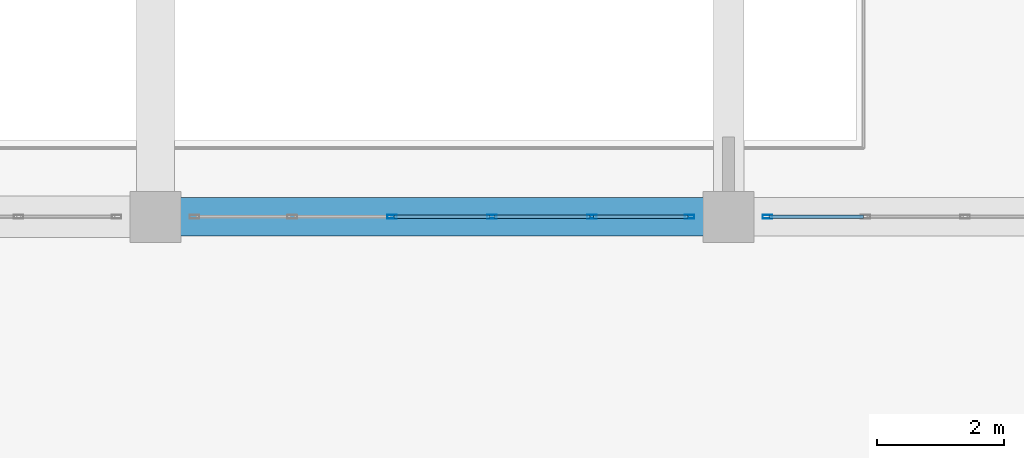
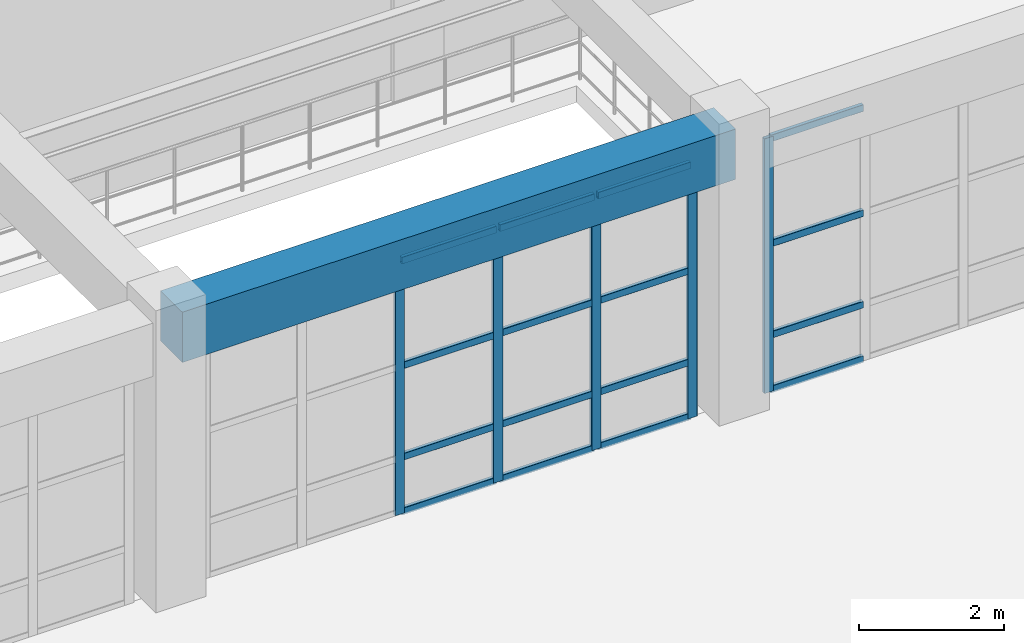
# One storey, part 65 of 128: 21 members, 1 beam, 2 elements without a shape of their own.
"""IFC4 building model written with IfcOpenShell, lengths in metres."""

from ifc_helpers import new_model, si_unit, direction, frame, origin, origin_2d, place, context, subcontext, project, spatial, rectangle, hollow_rectangle, extrude, material, material_profile, profile_set, type_object, element, aggregate, save


model = new_model("IFC4")

# Units and contexts
model_context = context("Model", 3, precision=1e-05, world=origin(), true_north=direction((0.0, 1.0)))
body_context = subcontext(model_context, "Body", "Model", "MODEL_VIEW")
ifc_project = project(units=[si_unit("LENGTHUNIT", "METRE"), si_unit("AREAUNIT", "SQUARE_METRE"), si_unit("VOLUMEUNIT", "CUBIC_METRE"), si_unit("PLANEANGLEUNIT", "RADIAN"), si_unit("MASSUNIT", "GRAM", prefix="KILO")], contexts=[model_context])

# Site, building, storey
site_placement = place(None, origin())
site = spatial("IfcSite", under=ifc_project, at=site_placement, CompositionType="ELEMENT")
building_placement = place(site_placement, origin())
building = spatial("IfcBuilding", under=site, at=building_placement, Name="Miravela Opera House", CompositionType="ELEMENT")
storey_placement = place(building_placement, origin())
storey = spatial("IfcBuildingStorey", under=building, at=storey_placement, Name="L00", CompositionType="ELEMENT", Elevation=0.0)

# Curtain wall, members
ifc_material_1 = material(Name="Anodised architectural bronze aluminium 6063-T6", Category="aluminium")
curtain_wall_type = type_object("IfcCurtainWallType", Name="ARC-CW-04", PredefinedType="NOTDEFINED", material=ifc_material_1)
curtain_wall_1_placement = place(storey_placement, origin())
curtain_wall_1 = element("IfcCurtainWall", 1, at=curtain_wall_1_placement, inside=storey, type_object=curtain_wall_type, Name="Courtyard Arcade Curtain Wall CW-L00-073", PredefinedType="NOTDEFINED")
ifc_material_profile_1 = material_profile(ifc_material_1, hollow_rectangle(XDim=0.06005859375, YDim=0.14990234375, WallThickness=0.00390625, InnerFilletRadius=0.001953125, OuterFilletRadius=0.00390625, at=origin_2d()), Name="CWM-60X150")
ifc_profile_set_1 = profile_set([ifc_material_profile_1])
member_type_1 = type_object("IfcMemberType", Name="ARC-CWM-150", PredefinedType="MULLION", material=ifc_profile_set_1)
member_1_placement = place(storey_placement, frame((48.716064453125, 103.0, 0.0), z_axis=(0.0, 0.0, 1.0), x_axis=(0.0, 1.0, 0.0)))
member_1 = element("IfcMember", 2, at=member_1_placement, type_object=member_type_1, Name="CW-04 mullion 3", PredefinedType="MULLION", context=body_context, shape_type="SweptSolid", body=[
    extrude(hollow_rectangle(XDim=0.06005859375, YDim=0.14990234375, WallThickness=0.00390625, InnerFilletRadius=0.001953125, OuterFilletRadius=0.00390625, at=origin_2d()), origin(), (0.0, 0.0, 1.0), 4.300048828125),
])
member_2_placement = place(storey_placement, frame((50.283935546875, 103.0, 0.0), z_axis=(0.0, 0.0, 1.0), x_axis=(0.0, 1.0, 0.0)))
member_2 = element("IfcMember", 3, at=member_2_placement, type_object=member_type_1, Name="CW-04 mullion 4", PredefinedType="MULLION", context=body_context, shape_type="SweptSolid", body=[
    extrude(hollow_rectangle(XDim=0.06005859375, YDim=0.14990234375, WallThickness=0.00390625, InnerFilletRadius=0.001953125, OuterFilletRadius=0.00390625, at=origin_2d()), origin(), (0.0, 0.0, 1.0), 4.300048828125),
])
member_3_placement = place(storey_placement, frame((51.85205078125, 103.0, 0.0), z_axis=(0.0, 0.0, 1.0), x_axis=(0.0, 1.0, 0.0)))
member_3 = element("IfcMember", 4, at=member_3_placement, type_object=member_type_1, Name="CW-04 mullion 5", PredefinedType="MULLION", context=body_context, shape_type="SweptSolid", body=[
    extrude(hollow_rectangle(XDim=0.06005859375, YDim=0.14990234375, WallThickness=0.00390625, InnerFilletRadius=0.001953125, OuterFilletRadius=0.00390625, at=origin_2d()), origin(), (0.0, 0.0, 1.0), 4.300048828125),
])
member_4_placement = place(storey_placement, frame((53.389892578125, 103.0, 0.0), z_axis=(0.0, 0.0, 1.0), x_axis=(0.0, 1.0, 0.0)))
member_4 = element("IfcMember", 5, at=member_4_placement, type_object=member_type_1, Name="CW-04 mullion 6", PredefinedType="MULLION", context=body_context, shape_type="SweptSolid", body=[
    extrude(hollow_rectangle(XDim=0.06005859375, YDim=0.14990234375, WallThickness=0.00390625, InnerFilletRadius=0.001953125, OuterFilletRadius=0.00390625, at=origin_2d()), origin(), (0.0, 0.0, 1.0), 4.300048828125),
])

# Curtain wall, member
curtain_wall_2_placement = place(storey_placement, origin())
curtain_wall_2 = element("IfcCurtainWall", 6, at=curtain_wall_2_placement, inside=storey, type_object=curtain_wall_type, Name="Courtyard Arcade Curtain Wall CW-L00-074", PredefinedType="NOTDEFINED")
member_5_placement = place(storey_placement, frame((54.610107421875, 103.0, 0.0), z_axis=(0.0, 0.0, 1.0), x_axis=(0.0, 1.0, 0.0)))
member_5 = element("IfcMember", 7, at=member_5_placement, type_object=member_type_1, Name="CW-04 mullion 1", PredefinedType="MULLION", context=body_context, shape_type="SweptSolid", body=[
    extrude(hollow_rectangle(XDim=0.06005859375, YDim=0.14990234375, WallThickness=0.00390625, InnerFilletRadius=0.001953125, OuterFilletRadius=0.00390625, at=origin_2d()), origin(), (0.0, 0.0, 1.0), 4.300048828125),
])

# Member
ifc_material_profile_2 = material_profile(ifc_material_1, hollow_rectangle(XDim=0.06005859375, YDim=0.114990234375, WallThickness=0.00390625, InnerFilletRadius=0.001953125, OuterFilletRadius=0.00390625, at=origin_2d()), Name="CWT-60X115")
ifc_profile_set_2 = profile_set([ifc_material_profile_2])
member_type_2 = type_object("IfcMemberType", Name="ARC-CWT-115", PredefinedType="USERDEFINED", material=ifc_profile_set_2)
member_6_placement = place(storey_placement, frame((48.74609375, 103.0, 0.030029296875), z_axis=(1.0, 0.0, 0.0), x_axis=(0.0, 1.0, 0.0)))
member_6 = element("IfcMember", 8, at=member_6_placement, type_object=member_type_2, Name="CW-04 transom 3.1", ObjectType="TRANSOM", PredefinedType="USERDEFINED", context=body_context, shape_type="SweptSolid", body=[
    extrude(hollow_rectangle(XDim=0.06005859375, YDim=0.114990234375, WallThickness=0.00390625, InnerFilletRadius=0.001953125, OuterFilletRadius=0.00390625, at=origin_2d()), origin(), (0.0, 0.0, 1.0), 1.5078125),
])

member_7_placement = place(storey_placement, frame((48.74609375, 103.0, 0.949951171875), z_axis=(1.0, 0.0, 0.0), x_axis=(0.0, 1.0, 0.0)))
member_7 = element("IfcMember", 9, at=member_7_placement, type_object=member_type_2, Name="CW-04 transom 3.2", ObjectType="TRANSOM", PredefinedType="USERDEFINED", context=body_context, shape_type="SweptSolid", body=[
    extrude(hollow_rectangle(XDim=0.06005859375, YDim=0.114990234375, WallThickness=0.00390625, InnerFilletRadius=0.001953125, OuterFilletRadius=0.00390625, at=origin_2d()), origin(), (0.0, 0.0, 1.0), 1.5078125),
])

member_8_placement = place(storey_placement, frame((48.74609375, 103.0, 2.493896484375), z_axis=(1.0, 0.0, 0.0), x_axis=(0.0, 1.0, 0.0)))
member_8 = element("IfcMember", 10, at=member_8_placement, type_object=member_type_2, Name="CW-04 transom 3.3", ObjectType="TRANSOM", PredefinedType="USERDEFINED", context=body_context, shape_type="SweptSolid", body=[
    extrude(hollow_rectangle(XDim=0.06005859375, YDim=0.114990234375, WallThickness=0.00390625, InnerFilletRadius=0.001953125, OuterFilletRadius=0.00390625, at=origin_2d()), origin(), (0.0, 0.0, 1.0), 1.5078125),
])

member_9_placement = place(storey_placement, frame((48.74609375, 103.0, 4.27001953125), z_axis=(1.0, 0.0, 0.0), x_axis=(0.0, 1.0, 0.0)))
member_9 = element("IfcMember", 11, at=member_9_placement, type_object=member_type_2, Name="CW-04 transom 3.4", ObjectType="TRANSOM", PredefinedType="USERDEFINED", context=body_context, shape_type="SweptSolid", body=[
    extrude(hollow_rectangle(XDim=0.06005859375, YDim=0.114990234375, WallThickness=0.00390625, InnerFilletRadius=0.001953125, OuterFilletRadius=0.00390625, at=origin_2d()), origin(), (0.0, 0.0, 1.0), 1.5078125),
])

member_10_placement = place(storey_placement, frame((50.31396484375, 103.0, 0.030029296875), z_axis=(1.0, 0.0, 0.0), x_axis=(0.0, 1.0, 0.0)))
member_10 = element("IfcMember", 12, at=member_10_placement, type_object=member_type_2, Name="CW-04 transom 4.1", ObjectType="TRANSOM", PredefinedType="USERDEFINED", context=body_context, shape_type="SweptSolid", body=[
    extrude(hollow_rectangle(XDim=0.06005859375, YDim=0.114990234375, WallThickness=0.00390625, InnerFilletRadius=0.001953125, OuterFilletRadius=0.00390625, at=origin_2d()), origin(), (0.0, 0.0, 1.0), 1.508056640625),
])

member_11_placement = place(storey_placement, frame((50.31396484375, 103.0, 0.949951171875), z_axis=(1.0, 0.0, 0.0), x_axis=(0.0, 1.0, 0.0)))
member_11 = element("IfcMember", 13, at=member_11_placement, type_object=member_type_2, Name="CW-04 transom 4.2", ObjectType="TRANSOM", PredefinedType="USERDEFINED", context=body_context, shape_type="SweptSolid", body=[
    extrude(hollow_rectangle(XDim=0.06005859375, YDim=0.114990234375, WallThickness=0.00390625, InnerFilletRadius=0.001953125, OuterFilletRadius=0.00390625, at=origin_2d()), origin(), (0.0, 0.0, 1.0), 1.508056640625),
])

member_12_placement = place(storey_placement, frame((50.31396484375, 103.0, 2.493896484375), z_axis=(1.0, 0.0, 0.0), x_axis=(0.0, 1.0, 0.0)))
member_12 = element("IfcMember", 14, at=member_12_placement, type_object=member_type_2, Name="CW-04 transom 4.3", ObjectType="TRANSOM", PredefinedType="USERDEFINED", context=body_context, shape_type="SweptSolid", body=[
    extrude(hollow_rectangle(XDim=0.06005859375, YDim=0.114990234375, WallThickness=0.00390625, InnerFilletRadius=0.001953125, OuterFilletRadius=0.00390625, at=origin_2d()), origin(), (0.0, 0.0, 1.0), 1.508056640625),
])

member_13_placement = place(storey_placement, frame((50.31396484375, 103.0, 4.27001953125), z_axis=(1.0, 0.0, 0.0), x_axis=(0.0, 1.0, 0.0)))
member_13 = element("IfcMember", 15, at=member_13_placement, type_object=member_type_2, Name="CW-04 transom 4.4", ObjectType="TRANSOM", PredefinedType="USERDEFINED", context=body_context, shape_type="SweptSolid", body=[
    extrude(hollow_rectangle(XDim=0.06005859375, YDim=0.114990234375, WallThickness=0.00390625, InnerFilletRadius=0.001953125, OuterFilletRadius=0.00390625, at=origin_2d()), origin(), (0.0, 0.0, 1.0), 1.508056640625),
])

member_14_placement = place(storey_placement, frame((51.882080078125, 103.0, 0.030029296875), z_axis=(1.0, 0.0, 0.0), x_axis=(0.0, 1.0, 0.0)))
member_14 = element("IfcMember", 16, at=member_14_placement, type_object=member_type_2, Name="CW-04 transom 5.1", ObjectType="TRANSOM", PredefinedType="USERDEFINED", context=body_context, shape_type="SweptSolid", body=[
    extrude(hollow_rectangle(XDim=0.06005859375, YDim=0.114990234375, WallThickness=0.00390625, InnerFilletRadius=0.001953125, OuterFilletRadius=0.00390625, at=origin_2d()), origin(), (0.0, 0.0, 1.0), 1.47802734375),
])

member_15_placement = place(storey_placement, frame((51.882080078125, 103.0, 0.949951171875), z_axis=(1.0, 0.0, 0.0), x_axis=(0.0, 1.0, 0.0)))
member_15 = element("IfcMember", 17, at=member_15_placement, type_object=member_type_2, Name="CW-04 transom 5.2", ObjectType="TRANSOM", PredefinedType="USERDEFINED", context=body_context, shape_type="SweptSolid", body=[
    extrude(hollow_rectangle(XDim=0.06005859375, YDim=0.114990234375, WallThickness=0.00390625, InnerFilletRadius=0.001953125, OuterFilletRadius=0.00390625, at=origin_2d()), origin(), (0.0, 0.0, 1.0), 1.47802734375),
])

member_16_placement = place(storey_placement, frame((51.882080078125, 103.0, 2.493896484375), z_axis=(1.0, 0.0, 0.0), x_axis=(0.0, 1.0, 0.0)))
member_16 = element("IfcMember", 18, at=member_16_placement, type_object=member_type_2, Name="CW-04 transom 5.3", ObjectType="TRANSOM", PredefinedType="USERDEFINED", context=body_context, shape_type="SweptSolid", body=[
    extrude(hollow_rectangle(XDim=0.06005859375, YDim=0.114990234375, WallThickness=0.00390625, InnerFilletRadius=0.001953125, OuterFilletRadius=0.00390625, at=origin_2d()), origin(), (0.0, 0.0, 1.0), 1.47802734375),
])

member_17_placement = place(storey_placement, frame((51.882080078125, 103.0, 4.27001953125), z_axis=(1.0, 0.0, 0.0), x_axis=(0.0, 1.0, 0.0)))
member_17 = element("IfcMember", 19, at=member_17_placement, type_object=member_type_2, Name="CW-04 transom 5.4", ObjectType="TRANSOM", PredefinedType="USERDEFINED", context=body_context, shape_type="SweptSolid", body=[
    extrude(hollow_rectangle(XDim=0.06005859375, YDim=0.114990234375, WallThickness=0.00390625, InnerFilletRadius=0.001953125, OuterFilletRadius=0.00390625, at=origin_2d()), origin(), (0.0, 0.0, 1.0), 1.47802734375),
])

aggregate(curtain_wall_1, [member_1, member_2, member_3, member_4, member_6, member_7, member_8, member_9, member_10, member_11, member_12, member_13, member_14, member_15, member_16, member_17])

member_18_placement = place(storey_placement, frame((54.639892578125, 103.0, 0.030029296875), z_axis=(1.0, 0.0, 0.0), x_axis=(0.0, 1.0, 0.0)))
member_18 = element("IfcMember", 20, at=member_18_placement, type_object=member_type_2, Name="CW-04 transom 1.1", ObjectType="TRANSOM", PredefinedType="USERDEFINED", context=body_context, shape_type="SweptSolid", body=[
    extrude(hollow_rectangle(XDim=0.06005859375, YDim=0.114990234375, WallThickness=0.00390625, InnerFilletRadius=0.001953125, OuterFilletRadius=0.00390625, at=origin_2d()), origin(), (0.0, 0.0, 1.0), 1.47802734375),
])

member_19_placement = place(storey_placement, frame((54.639892578125, 103.0, 0.949951171875), z_axis=(1.0, 0.0, 0.0), x_axis=(0.0, 1.0, 0.0)))
member_19 = element("IfcMember", 21, at=member_19_placement, type_object=member_type_2, Name="CW-04 transom 1.2", ObjectType="TRANSOM", PredefinedType="USERDEFINED", context=body_context, shape_type="SweptSolid", body=[
    extrude(hollow_rectangle(XDim=0.06005859375, YDim=0.114990234375, WallThickness=0.00390625, InnerFilletRadius=0.001953125, OuterFilletRadius=0.00390625, at=origin_2d()), origin(), (0.0, 0.0, 1.0), 1.47802734375),
])

member_20_placement = place(storey_placement, frame((54.639892578125, 103.0, 2.493896484375), z_axis=(1.0, 0.0, 0.0), x_axis=(0.0, 1.0, 0.0)))
member_20 = element("IfcMember", 22, at=member_20_placement, type_object=member_type_2, Name="CW-04 transom 1.3", ObjectType="TRANSOM", PredefinedType="USERDEFINED", context=body_context, shape_type="SweptSolid", body=[
    extrude(hollow_rectangle(XDim=0.06005859375, YDim=0.114990234375, WallThickness=0.00390625, InnerFilletRadius=0.001953125, OuterFilletRadius=0.00390625, at=origin_2d()), origin(), (0.0, 0.0, 1.0), 1.47802734375),
])

member_21_placement = place(storey_placement, frame((54.639892578125, 103.0, 4.27001953125), z_axis=(1.0, 0.0, 0.0), x_axis=(0.0, 1.0, 0.0)))
member_21 = element("IfcMember", 23, at=member_21_placement, type_object=member_type_2, Name="CW-04 transom 1.4", ObjectType="TRANSOM", PredefinedType="USERDEFINED", context=body_context, shape_type="SweptSolid", body=[
    extrude(hollow_rectangle(XDim=0.06005859375, YDim=0.114990234375, WallThickness=0.00390625, InnerFilletRadius=0.001953125, OuterFilletRadius=0.00390625, at=origin_2d()), origin(), (0.0, 0.0, 1.0), 1.47802734375),
])

aggregate(curtain_wall_2, [member_5, member_18, member_19, member_20, member_21])

# Beam
ifc_material_2 = material(Name="Concrete C40/50", Category="concrete")
ifc_material_profile_3 = material_profile(ifc_material_2, rectangle(XDim=0.60009765625, YDim=0.85009765625, at=origin_2d()), Name="RC-BM-600X850")
ifc_profile_set_3 = profile_set([ifc_material_profile_3])
beam_type = type_object("IfcBeamType", Name="STR-BM-RC600X850", PredefinedType="BEAM", material=ifc_profile_set_3)
beam_placement = place(storey_placement, frame((45.080078125, 103.0, 4.425048828125), z_axis=(1.0, 0.0, 0.0), x_axis=(0.0, 1.0, 0.0)))
element("IfcBeam", 24, at=beam_placement, inside=storey, type_object=beam_type, Name="Floor Girder L00 6-7/L", PredefinedType="BEAM", context=body_context, shape_type="SweptSolid", body=[
    extrude(rectangle(XDim=0.60009765625, YDim=0.85009765625, at=origin_2d()), origin(), (0.0, 0.0, 1.0), 8.83984375),
])

save(model, "model.ifc")
